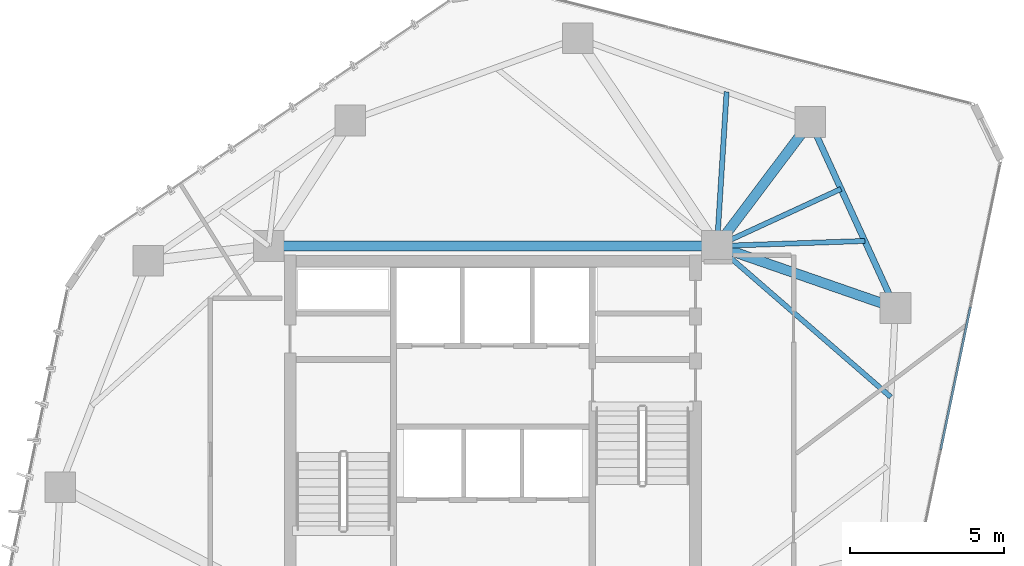
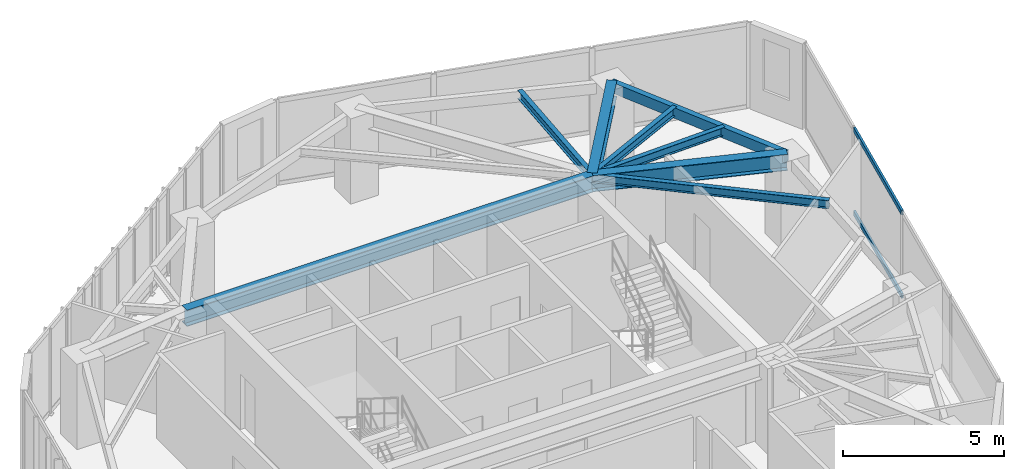
# One storey, part 10 of 20: 8 beams, 2 members, 1 element without a shape of its own.
"""IFC4 building model written with IfcOpenShell, lengths in metres."""

from ifc_helpers import new_model, si_unit, direction, frame, origin, origin_2d, place, context, subcontext, project, spatial, hollow_rectangle, i_section, extrude, source, transform, mapped, material, layer, layer_set, material_profile, profile_set, type_object, type_shapes, element, aggregate, save


model = new_model("IFC4")

# Units and contexts
model_context = context("Model", 3, precision=1e-05, world=origin(), true_north=direction((0.0, 1.0)))
body_context = subcontext(model_context, "Body", "Model", "MODEL_VIEW")
ifc_project = project(units=[si_unit("LENGTHUNIT", "METRE"), si_unit("AREAUNIT", "SQUARE_METRE"), si_unit("VOLUMEUNIT", "CUBIC_METRE"), si_unit("PLANEANGLEUNIT", "RADIAN"), si_unit("MASSUNIT", "GRAM", prefix="KILO")], contexts=[model_context])

# Site, building, storey
site_placement = place(None, origin())
site = spatial("IfcSite", under=ifc_project, at=site_placement, CompositionType="ELEMENT")
building_placement = place(site_placement, origin())
building = spatial("IfcBuilding", under=site, at=building_placement, Name="Talar Marvaseh", CompositionType="ELEMENT")
storey_placement = place(building_placement, frame((0.0, 0.0, 191.5)))
storey = spatial("IfcBuildingStorey", under=building, at=storey_placement, Name="L50", CompositionType="ELEMENT", Elevation=191.5)

# Beams
ifc_material_1 = material(Name="Steel S355", Category="steel")
ifc_material_profile_1 = material_profile(ifc_material_1, hollow_rectangle(XDim=0.199951171875, YDim=0.39990234375, WallThickness=0.013916015625, at=origin_2d()), Name="RHS400x200x14")
ifc_profile_set_1 = profile_set([ifc_material_profile_1], Name="Steel S355")
beam_type_1 = type_object("IfcBeamType", Name="Zone 3 Perimeter Spandrel Beam RHS400x200x14", PredefinedType="SPANDREL", material=ifc_profile_set_1)
beam_1_placement = place(storey_placement, frame((36.341064453125, 40.94189453125, 3.030029296875), z_axis=(0.416090570719, -0.909323175202, 0.0), x_axis=(0.909323175202, 0.416090570719, 0.0)))
element("IfcBeam", 1, at=beam_1_placement, inside=storey, type_object=beam_type_1, Name="L50 Zone 3 Perimeter Spandrel Beam RHS400x200x14", PredefinedType="SPANDREL", context=body_context, shape_type="SweptSolid", body=[
    extrude(hollow_rectangle(XDim=0.199951171875, YDim=0.39990234375, WallThickness=0.013916015625, at=origin_2d()), origin(), (0.0, 0.0, 1.0), 6.661865234375),
])
ifc_material_profile_2 = material_profile(ifc_material_1, i_section(OverallWidth=0.324951171875, OverallDepth=0.615966796875, WebThickness=0.013916015625, FlangeThickness=0.021484375, at=origin_2d()), Name="W610x174")
ifc_profile_set_2 = profile_set([ifc_material_profile_2], Name="Steel S355")
beam_type_2 = type_object("IfcBeamType", Name="Zone 3 Radial Floor Girder W610x174", PredefinedType="BEAM", material=ifc_profile_set_2)
beam_2_placement = place(storey_placement, frame((18.699951171875, 36.89990234375, 2.922119140625), z_axis=(1.0, 0.0, 0.0), x_axis=(0.0, 1.0, 0.0)))
element("IfcBeam", 2, at=beam_2_placement, inside=storey, type_object=beam_type_2, Name="L50 Zone 3 Radial Floor Girder W610x174", PredefinedType="BEAM", context=body_context, shape_type="SweptSolid", body=[
    extrude(i_section(OverallWidth=0.324951171875, OverallDepth=0.615966796875, WebThickness=0.013916015625, FlangeThickness=0.021484375, at=origin_2d()), origin(), (0.0, 0.0, 1.0), 14.60009765625),
])
beam_3_placement = place(storey_placement, frame((36.341064453125, 40.94189453125, 2.922119140625), z_axis=(-0.601204044541, -0.799095549247, 0.0), x_axis=(0.799095549247, -0.601204044541, 0.0)))
element("IfcBeam", 3, at=beam_3_placement, inside=storey, type_object=beam_type_2, Name="L50 Zone 3 Radial Floor Girder W610x174", PredefinedType="BEAM", context=body_context, shape_type="SweptSolid", body=[
    extrude(i_section(OverallWidth=0.324951171875, OverallDepth=0.615966796875, WebThickness=0.013916015625, FlangeThickness=0.021484375, at=origin_2d()), origin(), (0.0, 0.0, 1.0), 5.05810546875),
])
beam_4_placement = place(storey_placement, frame((39.113037109375, 34.884033203125, 2.922119140625), z_axis=(-0.94480098975, 0.327644761544, 0.0), x_axis=(-0.327644761544, -0.94480098975, 0.0)))
element("IfcBeam", 4, at=beam_4_placement, inside=storey, type_object=beam_type_2, Name="L50 Zone 3 Radial Floor Girder W610x174", PredefinedType="BEAM", context=body_context, shape_type="SweptSolid", body=[
    extrude(i_section(OverallWidth=0.324951171875, OverallDepth=0.615966796875, WebThickness=0.013916015625, FlangeThickness=0.021484375, at=origin_2d()), origin(), (0.0, 0.0, 1.0), 6.152587890625),
])
ifc_material_profile_3 = material_profile(ifc_material_1, i_section(OverallWidth=0.166015625, OverallDepth=0.31298828125, WebThickness=0.006591796875, FlangeThickness=0.01123046875, at=origin_2d()), Name="W310x45")
ifc_profile_set_3 = profile_set([ifc_material_profile_3], Name="Steel S355")
beam_type_3 = type_object("IfcBeamType", Name="Zone 3 Secondary Floor Joist W310x45", PredefinedType="JOIST", material=ifc_profile_set_3)
beam_5_placement = place(storey_placement, frame((33.614013671875, 41.92333984375, 3.073486328125), z_axis=(-0.062378286155, -0.998052578483, 0.0), x_axis=(0.998052578483, -0.062378286155, 0.0)))
element("IfcBeam", 5, at=beam_5_placement, inside=storey, type_object=beam_type_3, Name="L50 Zone 3 Secondary Floor Joist W310x45", PredefinedType="JOIST", context=body_context, shape_type="SweptSolid", body=[
    extrude(i_section(OverallWidth=0.166015625, OverallDepth=0.31298828125, WebThickness=0.006591796875, FlangeThickness=0.01123046875, at=origin_2d()), origin(), (0.0, 0.0, 1.0), 5.033203125),
])
beam_6_placement = place(storey_placement, frame((37.3388671875, 38.760986328125, 3.073486328125), z_axis=(-0.908214702737, -0.418504544458, 0.0), x_axis=(0.418504544458, -0.908214702737, 0.0)))
element("IfcBeam", 6, at=beam_6_placement, inside=storey, type_object=beam_type_3, Name="L50 Zone 3 Secondary Floor Joist W310x45", PredefinedType="JOIST", context=body_context, shape_type="SweptSolid", body=[
    extrude(i_section(OverallWidth=0.166015625, OverallDepth=0.31298828125, WebThickness=0.006591796875, FlangeThickness=0.01123046875, at=origin_2d()), origin(), (0.0, 0.0, 1.0), 4.447021484375),
])
beam_7_placement = place(storey_placement, frame((38.114990234375, 37.06494140625, 3.073486328125), z_axis=(-0.999413079861, -0.034256325017, 0.0), x_axis=(0.034256325017, -0.999413079861, 0.0)))
element("IfcBeam", 7, at=beam_7_placement, inside=storey, type_object=beam_type_3, Name="L50 Zone 3 Secondary Floor Joist W310x45", PredefinedType="JOIST", context=body_context, shape_type="SweptSolid", body=[
    extrude(i_section(OverallWidth=0.166015625, OverallDepth=0.31298828125, WebThickness=0.006591796875, FlangeThickness=0.01123046875, at=origin_2d()), origin(), (0.0, 0.0, 1.0), 4.81787109375),
])
beam_8_placement = place(storey_placement, frame((38.96044921875, 31.982421875, 3.073486328125), z_axis=(-0.754909663958, 0.655828788071, 0.0), x_axis=(-0.655828788071, -0.754909663958, 0.0)))
element("IfcBeam", 8, at=beam_8_placement, inside=storey, type_object=beam_type_3, Name="L50 Zone 3 Secondary Floor Joist W310x45", PredefinedType="JOIST", context=body_context, shape_type="SweptSolid", body=[
    extrude(i_section(OverallWidth=0.166015625, OverallDepth=0.31298828125, WebThickness=0.006591796875, FlangeThickness=0.01123046875, at=origin_2d()), origin(), (0.0, 0.0, 1.0), 7.498046875),
])

# Curtain wall, members
ifc_material_2 = material(Name="Architectural Aluminium", Category="aluminium")
ifc_layer = layer(ifc_material_2, 0.18994140625)
ifc_layer_set = layer_set([ifc_layer], Name="Architectural Aluminium")
curtain_wall_type = type_object("IfcCurtainWallType", Name="Unitised Solar Atelier Curtain Wall Z3", PredefinedType="NOTDEFINED", material=ifc_layer_set)
curtain_wall_placement = place(storey_placement, origin())
curtain_wall = element("IfcCurtainWall", 9, at=curtain_wall_placement, inside=storey, type_object=curtain_wall_type, Name="L50 Unitised Solar Atelier Curtain Wall Z3", PredefinedType="NOTDEFINED")
ifc_material_profile_4 = material_profile(ifc_material_2, hollow_rectangle(XDim=0.074951171875, YDim=0.179931640625, WallThickness=0.0048828125, at=origin_2d()), Name="RHS180x75x5")
ifc_profile_set_4 = profile_set([ifc_material_profile_4], Name="Architectural Aluminium")
member_type = type_object("IfcMemberType", Name="Unitised Curtain Wall Transom RHS180x75x5", PredefinedType="USERDEFINED", material=ifc_profile_set_4)
shared_shape = source(origin(), body_context, "Body", "SweptSolid", [
    extrude(hollow_rectangle(XDim=0.074951171875, YDim=0.179931640625, WallThickness=0.0048828125, at=origin_2d()), origin(), (0.0, 0.0, 1.0), 4.7470703125),
])
type_shapes(member_type, [shared_shape])
member_1_placement = place(storey_placement, frame((41.55517578125, 34.9169921875, 0.03759765625), z_axis=(-0.203814596906, -0.979009504595, 0.0), x_axis=(0.979009504595, -0.203814596906, 0.0)))
member_1 = element("IfcMember", 10, at=member_1_placement, type_object=member_type, Name="CW-Z3 transom 2.1", ObjectType="TRANSOM", PredefinedType="USERDEFINED", context=body_context, shape_type="MappedRepresentation", body=[
    mapped(shared_shape, transform((0.0, 0.0, 0.0), x_axis=(1.0, 0.0, 0.0), y_axis=(0.0, 1.0, 0.0), z_axis=(0.0, 0.0, 1.0), scale=1.0)),
])
member_2_placement = place(storey_placement, frame((41.55517578125, 34.9169921875, 3.1923828125), z_axis=(-0.203814596906, -0.979009504595, 0.0), x_axis=(0.979009504595, -0.203814596906, 0.0)))
member_2 = element("IfcMember", 11, at=member_2_placement, type_object=member_type, Name="CW-Z3 transom 2.2", ObjectType="TRANSOM", PredefinedType="USERDEFINED", context=body_context, shape_type="MappedRepresentation", body=[
    mapped(shared_shape, transform((0.0, 0.0, 0.0), x_axis=(1.0, 0.0, 0.0), y_axis=(0.0, 1.0, 0.0), z_axis=(0.0, 0.0, 1.0), scale=1.0)),
])
aggregate(curtain_wall, [member_1, member_2])

save(model, "model.ifc")
